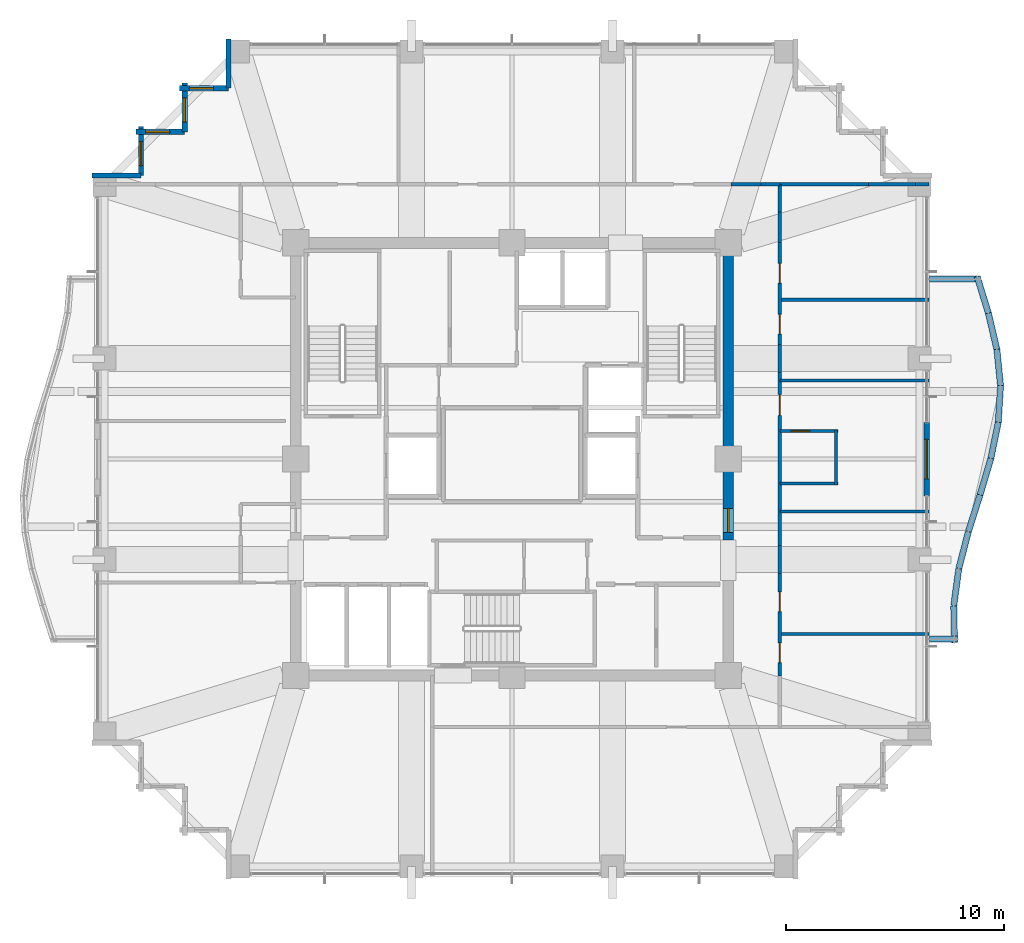
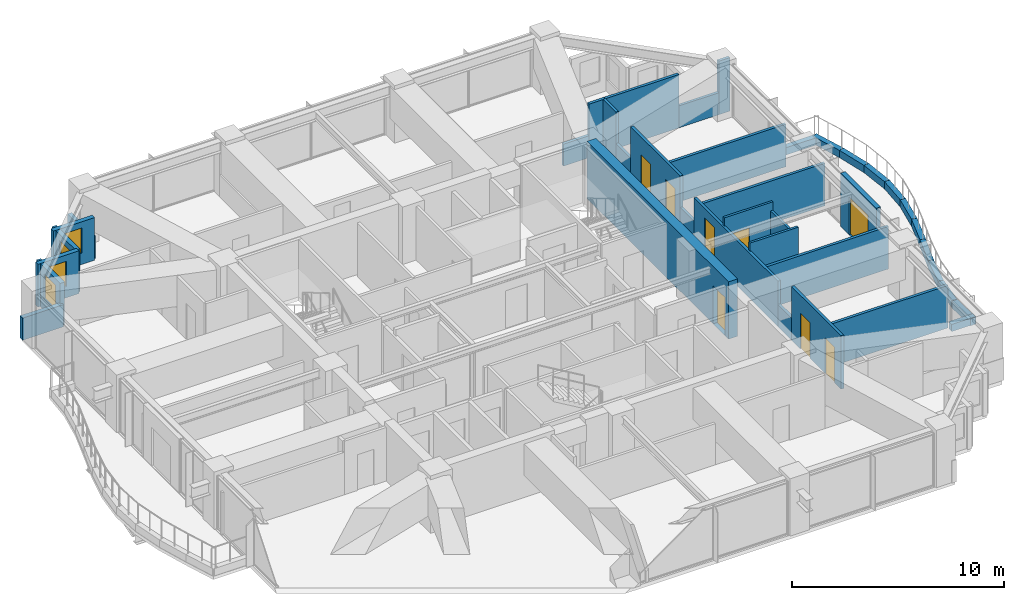
# One storey, part 33 of 36: 39 walls, 8 doors, 4 windows, 12 openings.
"""IFC4 building model written with IfcOpenShell, lengths in metres."""

from ifc_helpers import new_model, si_unit, direction, frame, frame_2d, origin, place, context, subcontext, project, spatial, rectangle, extrude, material, layer, layer_set, type_object, element, fill, save


model = new_model("IFC4")

# Units and contexts
model_context = context("Model", 3, precision=1e-05, world=origin(), true_north=direction((0.0, 1.0)))
body_context = subcontext(model_context, "Body", "Model", "MODEL_VIEW")
ifc_project = project(units=[si_unit("LENGTHUNIT", "METRE"), si_unit("AREAUNIT", "SQUARE_METRE"), si_unit("VOLUMEUNIT", "CUBIC_METRE"), si_unit("PLANEANGLEUNIT", "RADIAN"), si_unit("MASSUNIT", "GRAM", prefix="KILO")], contexts=[model_context])

# Site, building, storey
site_placement = place(None, origin())
site = spatial("IfcSite", under=ifc_project, at=site_placement, CompositionType="ELEMENT")
building_placement = place(site_placement, origin())
building = spatial("IfcBuilding", under=site, at=building_placement, Name="Kolvaren Belvedere", CompositionType="ELEMENT")
storey_placement = place(building_placement, frame((0.0, 0.0, 108.5)))
storey = spatial("IfcBuildingStorey", under=building, at=storey_placement, Name="L31", CompositionType="ELEMENT", Elevation=108.5)

# Wall, opening, door
ifc_material_1 = material(Name="Concrete C50/60", Category="concrete")
ifc_layer_1 = layer(ifc_material_1, 0.5)
ifc_layer_set_1 = layer_set([ifc_layer_1], Name="Concrete C50/60")
wall_type_1 = type_object("IfcWallType", Name="CW-CORE-500", PredefinedType="SHEAR", material=ifc_layer_set_1)
wall_1_placement = place(storey_placement, frame((9.89990234375, -3.699951171875, 0.0), z_axis=(0.0, 0.0, 1.0), x_axis=(0.0, 1.0, 0.0)))
wall_1 = element("IfcWall", 1, at=wall_1_placement, inside=storey, type_object=wall_type_1, Name="L31 East Core Shear Wall 2", PredefinedType="SHEAR", context=body_context, shape_type="SweptSolid", body=[
    extrude(rectangle(XDim=13.349853515625, YDim=0.5, at=frame_2d((6.6748046875, 0.0))), origin(), (0.0, 0.0, 1.0), 3.300048828125),
])
opening_1_placement = place(wall_1_placement, frame((0.35009765625, 0.0, 0.0)))
opening_1 = element("IfcOpeningElement", 2, at=opening_1_placement, cuts=wall_1, Name="Opening D-FD90", PredefinedType="OPENING", context=body_context, shape_type="SweptSolid", body=[
    extrude(rectangle(XDim=1.10009765625, YDim=2.199951171875, at=frame_2d((0.550048828125, 1.10009765625))), frame((0.0, 0.260009765625, 0.0), z_axis=(0.0, -1.0, 0.0), x_axis=(1.0, 0.0, 0.0)), (0.0, 0.0, 1.0), 0.52001953125),
])
ifc_material_2 = material(Name="Painted hollow stainless steel", Category="steel")
door_type_1 = type_object("IfcDoorType", Name="DR-FD90-1100", OperationType="NOTDEFINED", PredefinedType="DOOR", material=ifc_material_2)
door_1_placement = place(opening_1_placement, origin())
door_1 = element("IfcDoor", 3, at=door_1_placement, inside=storey, type_object=door_type_1, Name="L31 East Firefighting Lobby Fire Door", OperationType="SINGLE_SWING_RIGHT", OverallHeight=2.199951171875, OverallWidth=1.10009765625, PredefinedType="DOOR", context=body_context, shape_type="SweptSolid", body=[
    extrude(rectangle(XDim=1.10009765625, YDim=2.199951171875, at=frame_2d((0.550048828125, 1.10009765625))), frame((0.0, 0.02490234375, 0.0), z_axis=(0.0, -1.0, 0.0), x_axis=(1.0, 0.0, 0.0)), (0.0, 0.0, 1.0), 0.050048828125),
])
fill(opening_1, door_1)

# Walls
ifc_material_3 = material(Name="Gypsum fire-rated partition assembly", Category="gypsum")
ifc_layer_2 = layer(ifc_material_3, 0.14990234375)
ifc_layer_set_2 = layer_set([ifc_layer_2], Name="Gypsum fire-rated partition assembly")
wall_type_2 = type_object("IfcWallType", Name="WL-CORR-150", PredefinedType="PARTITIONING", material=ifc_layer_set_2)
wall_2_placement = place(storey_placement, frame((10.015869140625, 12.580078125, 0.0), z_axis=(0.0, 0.0, 1.0), x_axis=(1.0, 0.0, 0.0)))
element("IfcWall", 4, at=wall_2_placement, inside=storey, type_object=wall_type_2, Name="L31 North Corridor Wall", PredefinedType="PARTITIONING", context=body_context, shape_type="SweptSolid", body=[
    extrude(rectangle(XDim=1.3916015625, YDim=0.14990234375, at=frame_2d((0.69580078125, 0.0))), origin(), (0.0, 0.0, 1.0), 1.264892578125),
])
wall_3_placement = place(storey_placement, frame((11.407470703125, 12.580078125, 0.0), z_axis=(0.0, 0.0, 1.0), x_axis=(1.0, 0.0, 0.0)))
element("IfcWall", 5, at=wall_3_placement, inside=storey, type_object=wall_type_2, Name="L31 North Corridor Wall", PredefinedType="PARTITIONING", context=body_context, shape_type="SweptSolid", body=[
    extrude(rectangle(XDim=0.8525390625, YDim=0.14990234375, at=frame_2d((0.42626953125, 0.0))), origin(), (0.0, 0.0, 1.0), 3.080078125),
])

# Wall, openings, doors
wall_4_placement = place(storey_placement, frame((12.260009765625, -9.9189453125, 0.0), z_axis=(0.0, 0.0, 1.0), x_axis=(0.0, 1.0, 0.0)))
wall_4 = element("IfcWall", 6, at=wall_4_placement, inside=storey, type_object=wall_type_2, Name="L31 East Corridor Wall", PredefinedType="PARTITIONING", context=body_context, shape_type="SweptSolid", body=[
    extrude(rectangle(XDim=4.677001953125, YDim=0.14990234375, at=frame_2d((2.33837890625, 0.0))), origin(), (0.0, 0.0, 1.0), 3.080078125),
])
opening_2_placement = place(wall_4_placement, frame((0.603271484375, 0.0, 0.0)))
opening_2 = element("IfcOpeningElement", 7, at=opening_2_placement, cuts=wall_4, Name="Opening D-INT90", PredefinedType="OPENING", context=body_context, shape_type="SweptSolid", body=[
    extrude(rectangle(XDim=0.89990234375, YDim=2.06005859375, at=frame_2d((0.449951171875, 1.030029296875))), frame((0.0, 0.0849609375, 0.0), z_axis=(0.0, -1.0, 0.0), x_axis=(1.0, 0.0, 0.0)), (0.0, 0.0, 1.0), 0.169921875),
])
opening_3_placement = place(wall_4_placement, frame((2.938232421875, 0.0, 0.0)))
opening_3 = element("IfcOpeningElement", 8, at=opening_3_placement, cuts=wall_4, Name="Opening D-INT90", PredefinedType="OPENING", context=body_context, shape_type="SweptSolid", body=[
    extrude(rectangle(XDim=0.89990234375, YDim=2.06005859375, at=frame_2d((0.449951171875, 1.030029296875))), frame((0.0, 0.0849609375, 0.0), z_axis=(0.0, -1.0, 0.0), x_axis=(1.0, 0.0, 0.0)), (0.0, 0.0, 1.0), 0.169921875),
])
ifc_material_4 = material(Name="Stained Pacific white oak", Category="timber")
door_type_2 = type_object("IfcDoorType", Name="DR-INT-900", OperationType="NOTDEFINED", PredefinedType="DOOR", material=ifc_material_4)
door_2_placement = place(opening_2_placement, origin())
door_2 = element("IfcDoor", 9, at=door_2_placement, inside=storey, type_object=door_type_2, Name="L31 Lounge 3104 Door", OperationType="SINGLE_SWING_LEFT", OverallHeight=2.06005859375, OverallWidth=0.89990234375, PredefinedType="DOOR", context=body_context, shape_type="SweptSolid", body=[
    extrude(rectangle(XDim=0.89990234375, YDim=2.06005859375, at=frame_2d((0.449951171875, 1.030029296875))), frame((0.0, 0.02490234375, 0.0), z_axis=(0.0, -1.0, 0.0), x_axis=(1.0, 0.0, 0.0)), (0.0, 0.0, 1.0), 0.050048828125),
])
fill(opening_2, door_2)
door_3_placement = place(opening_3_placement, origin())
door_3 = element("IfcDoor", 10, at=door_3_placement, inside=storey, type_object=door_type_2, Name="L31 Lounge 3105 Door", OperationType="SINGLE_SWING_RIGHT", OverallHeight=2.06005859375, OverallWidth=0.89990234375, PredefinedType="DOOR", context=body_context, shape_type="SweptSolid", body=[
    extrude(rectangle(XDim=0.89990234375, YDim=2.06005859375, at=frame_2d((0.449951171875, 1.030029296875))), frame((0.0, 0.02490234375, 0.0), z_axis=(0.0, -1.0, 0.0), x_axis=(1.0, 0.0, 0.0)), (0.0, 0.0, 1.0), 0.050048828125),
])
fill(opening_3, door_3)

# Wall
wall_5_placement = place(storey_placement, frame((12.260009765625, -5.241943359375, 0.0), z_axis=(0.0, 0.0, 1.0), x_axis=(0.0, 1.0, 0.0)))
element("IfcWall", 11, at=wall_5_placement, inside=storey, type_object=wall_type_2, Name="L31 East Corridor Wall", PredefinedType="PARTITIONING", context=body_context, shape_type="SweptSolid", body=[
    extrude(rectangle(XDim=1.283935546875, YDim=0.14990234375, at=frame_2d((0.64208984375, 0.0))), origin(), (0.0, 0.0, 1.0), 1.264892578125),
])

# Wall, opening, door
wall_6_placement = place(storey_placement, frame((12.260009765625, -3.9580078125, 0.0), z_axis=(0.0, 0.0, 1.0), x_axis=(0.0, 1.0, 0.0)))
wall_6 = element("IfcWall", 12, at=wall_6_placement, inside=storey, type_object=wall_type_2, Name="L31 East Corridor Wall", PredefinedType="PARTITIONING", context=body_context, shape_type="SweptSolid", body=[
    extrude(rectangle(XDim=7.916015625, YDim=0.14990234375, at=frame_2d((3.9580078125, 0.0))), origin(), (0.0, 0.0, 1.0), 2.60498046875),
])
opening_4_placement = place(wall_6_placement, frame((5.96142578125, 0.0, 0.0)))
opening_4 = element("IfcOpeningElement", 13, at=opening_4_placement, cuts=wall_6, Name="Opening D-FD60", PredefinedType="OPENING", context=body_context, shape_type="SweptSolid", body=[
    extrude(rectangle(XDim=0.949951171875, YDim=2.06005859375, at=frame_2d((0.47509765625, 1.030029296875))), frame((0.0, 0.0849609375, 0.0), z_axis=(0.0, -1.0, 0.0), x_axis=(1.0, 0.0, 0.0)), (0.0, 0.0, 1.0), 0.169921875),
])
ifc_material_5 = material(Name="Acoustic white-oak fire door leaf", Category="timber")
door_type_3 = type_object("IfcDoorType", Name="DR-FD60-950", OperationType="NOTDEFINED", PredefinedType="DOOR", material=ifc_material_5)
door_4_placement = place(opening_4_placement, origin())
door_4 = element("IfcDoor", 14, at=door_4_placement, inside=storey, type_object=door_type_3, Name="L31 King Guest Room 3106 Entry Door", OperationType="SINGLE_SWING_RIGHT", OverallHeight=2.06005859375, OverallWidth=0.949951171875, PredefinedType="DOOR", context=body_context, shape_type="SweptSolid", body=[
    extrude(rectangle(XDim=0.949951171875, YDim=2.06005859375, at=frame_2d((0.47509765625, 1.030029296875))), frame((0.0, 0.02490234375, 0.0), z_axis=(0.0, -1.0, 0.0), x_axis=(1.0, 0.0, 0.0)), (0.0, 0.0, 1.0), 0.050048828125),
])
fill(opening_4, door_4)

# Wall
wall_7_placement = place(storey_placement, frame((12.260009765625, 3.9580078125, 0.0), z_axis=(0.0, 0.0, 1.0), x_axis=(0.0, 1.0, 0.0)))
element("IfcWall", 15, at=wall_7_placement, inside=storey, type_object=wall_type_2, Name="L31 East Corridor Wall", PredefinedType="PARTITIONING", context=body_context, shape_type="SweptSolid", body=[
    extrude(rectangle(XDim=1.283935546875, YDim=0.14990234375, at=frame_2d((0.64208984375, 0.0))), origin(), (0.0, 0.0, 1.0), 1.264892578125),
])

# Wall, openings, doors
wall_8_placement = place(storey_placement, frame((12.260009765625, 5.241943359375, 0.0), z_axis=(0.0, 0.0, 1.0), x_axis=(0.0, 1.0, 0.0)))
wall_8 = element("IfcWall", 16, at=wall_8_placement, inside=storey, type_object=wall_type_2, Name="L31 East Corridor Wall", PredefinedType="PARTITIONING", context=body_context, shape_type="SweptSolid", body=[
    extrude(rectangle(XDim=4.677001953125, YDim=0.14990234375, at=frame_2d((2.33837890625, 0.0))), origin(), (0.0, 0.0, 1.0), 3.080078125),
])
opening_5_placement = place(wall_8_placement, frame((0.481201171875, 0.0, 0.0)))
opening_5 = element("IfcOpeningElement", 17, at=opening_5_placement, cuts=wall_8, Name="Opening D-INT90", PredefinedType="OPENING", context=body_context, shape_type="SweptSolid", body=[
    extrude(rectangle(XDim=0.89990234375, YDim=2.06005859375, at=frame_2d((0.449951171875, 1.030029296875))), frame((0.0, 0.0849609375, 0.0), z_axis=(0.0, -1.0, 0.0), x_axis=(1.0, 0.0, 0.0)), (0.0, 0.0, 1.0), 0.169921875),
])
opening_6_placement = place(wall_8_placement, frame((2.816162109375, 0.0, 0.0)))
opening_6 = element("IfcOpeningElement", 18, at=opening_6_placement, cuts=wall_8, Name="Opening D-INT90", PredefinedType="OPENING", context=body_context, shape_type="SweptSolid", body=[
    extrude(rectangle(XDim=0.89990234375, YDim=2.06005859375, at=frame_2d((0.449951171875, 1.030029296875))), frame((0.0, 0.0849609375, 0.0), z_axis=(0.0, -1.0, 0.0), x_axis=(1.0, 0.0, 0.0)), (0.0, 0.0, 1.0), 0.169921875),
])
door_5_placement = place(opening_5_placement, origin())
door_5 = element("IfcDoor", 19, at=door_5_placement, inside=storey, type_object=door_type_2, Name="L31 Lounge 3107 Door", OperationType="SINGLE_SWING_LEFT", OverallHeight=2.06005859375, OverallWidth=0.89990234375, PredefinedType="DOOR", context=body_context, shape_type="SweptSolid", body=[
    extrude(rectangle(XDim=0.89990234375, YDim=2.06005859375, at=frame_2d((0.449951171875, 1.030029296875))), frame((0.0, 0.02490234375, 0.0), z_axis=(0.0, -1.0, 0.0), x_axis=(1.0, 0.0, 0.0)), (0.0, 0.0, 1.0), 0.050048828125),
])
fill(opening_5, door_5)
door_6_placement = place(opening_6_placement, origin())
door_6 = element("IfcDoor", 20, at=door_6_placement, inside=storey, type_object=door_type_2, Name="L31 Lounge 3108 Door", OperationType="SINGLE_SWING_RIGHT", OverallHeight=2.06005859375, OverallWidth=0.89990234375, PredefinedType="DOOR", context=body_context, shape_type="SweptSolid", body=[
    extrude(rectangle(XDim=0.89990234375, YDim=2.06005859375, at=frame_2d((0.449951171875, 1.030029296875))), frame((0.0, 0.02490234375, 0.0), z_axis=(0.0, -1.0, 0.0), x_axis=(1.0, 0.0, 0.0)), (0.0, 0.0, 1.0), 0.050048828125),
])
fill(opening_6, door_6)

# Walls
wall_9_placement = place(storey_placement, frame((12.260009765625, 9.9189453125, 0.0), z_axis=(0.0, 0.0, 1.0), x_axis=(0.0, 1.0, 0.0)))
element("IfcWall", 21, at=wall_9_placement, inside=storey, type_object=wall_type_2, Name="L31 East Corridor Wall", PredefinedType="PARTITIONING", context=body_context, shape_type="SweptSolid", body=[
    extrude(rectangle(XDim=1.3916015625, YDim=0.14990234375, at=frame_2d((0.69580078125, 0.0))), origin(), (0.0, 0.0, 1.0), 1.264892578125),
])
wall_10_placement = place(storey_placement, frame((12.260009765625, 11.310546875, 0.0), z_axis=(0.0, 0.0, 1.0), x_axis=(0.0, 1.0, 0.0)))
element("IfcWall", 22, at=wall_10_placement, inside=storey, type_object=wall_type_2, Name="L31 East Corridor Wall", PredefinedType="PARTITIONING", context=body_context, shape_type="SweptSolid", body=[
    extrude(rectangle(XDim=1.26953125, YDim=0.14990234375, at=frame_2d((0.634765625, 0.0))), origin(), (0.0, 0.0, 1.0), 3.080078125),
])

# Wall, opening, door
ifc_material_6 = material(Name="Insulated pale-metal facade wall assembly", Category="aluminium")
ifc_layer_3 = layer(ifc_material_6, 0.239990234375)
ifc_layer_set_3 = layer_set([ifc_layer_3], Name="Insulated pale-metal facade wall assembly")
wall_type_3 = type_object("IfcWallType", Name="WL-EXT-240", PredefinedType="STANDARD", material=ifc_layer_set_3)
wall_11_placement = place(storey_placement, frame((18.97998046875, 1.679931640625, 0.0), z_axis=(0.0, 0.0, 1.0), x_axis=(0.0, -1.0, 0.0)))
wall_11 = element("IfcWall", 23, at=wall_11_placement, inside=storey, type_object=wall_type_3, Name="L31 East Terrace Portal Wall", PredefinedType="STANDARD", context=body_context, shape_type="SweptSolid", body=[
    extrude(rectangle(XDim=3.35986328125, YDim=0.239990234375, at=frame_2d((1.679931640625, 0.0))), origin(), (0.0, 0.0, 1.0), 3.080078125),
])
opening_7_placement = place(wall_11_placement, frame((0.780029296875, 0.0, 0.0)))
opening_7 = element("IfcOpeningElement", 24, at=opening_7_placement, cuts=wall_11, Name="Opening DB-1800", PredefinedType="OPENING", context=body_context, shape_type="SweptSolid", body=[
    extrude(rectangle(XDim=1.800048828125, YDim=2.199951171875, at=frame_2d((0.89990234375, 1.10009765625))), frame((0.0, 0.1298828125, 0.0), z_axis=(0.0, -1.0, 0.0), x_axis=(1.0, 0.0, 0.0)), (0.0, 0.0, 1.0), 0.260009765625),
])
ifc_material_7 = material(Name="Thermally broken pale-metal aluminium & low-iron glass", Category="aluminium")
door_type_4 = type_object("IfcDoorType", Name="DR-BAL-1800", OperationType="DOUBLE_DOOR_SLIDING", PredefinedType="DOOR", material=ifc_material_7)
door_7_placement = place(opening_7_placement, origin())
door_7 = element("IfcDoor", 25, at=door_7_placement, inside=storey, type_object=door_type_4, Name="L31 East Planted Terrace Sliding Door", OperationType="DOUBLE_DOOR_SLIDING", OverallHeight=2.199951171875, OverallWidth=1.800048828125, PredefinedType="DOOR", context=body_context, shape_type="SweptSolid", body=[
    extrude(rectangle(XDim=1.800048828125, YDim=2.199951171875, at=frame_2d((0.89990234375, 1.10009765625))), frame((0.0, 0.02490234375, 0.0), z_axis=(0.0, -1.0, 0.0), x_axis=(1.0, 0.0, 0.0)), (0.0, 0.0, 1.0), 0.050048828125),
])
fill(opening_7, door_7)

# Wall
wall_12_placement = place(storey_placement, frame((-12.97998046875, 16.97998046875, 0.0), z_axis=(0.0, 0.0, 1.0), x_axis=(0.0, 1.0, 0.0)))
element("IfcWall", 26, at=wall_12_placement, inside=storey, type_object=wall_type_3, Name="L31 Serrated Corner Facade Wall 16", PredefinedType="STANDARD", context=body_context, shape_type="SweptSolid", body=[
    extrude(rectangle(XDim=2.239990234375, YDim=0.239990234375, at=frame_2d((1.1201171875, 0.0))), origin(), (0.0, 0.0, 1.0), 1.27490234375),
])

# Wall, opening, window
wall_13_placement = place(storey_placement, frame((-15.219970703125, 16.97998046875, 0.0), z_axis=(0.0, 0.0, 1.0), x_axis=(1.0, 0.0, 0.0)))
wall_13 = element("IfcWall", 27, at=wall_13_placement, inside=storey, type_object=wall_type_3, Name="L31 Serrated Corner Facade Wall 17", PredefinedType="STANDARD", context=body_context, shape_type="SweptSolid", body=[
    extrude(rectangle(XDim=2.239990234375, YDim=0.239990234375, at=frame_2d((1.1201171875, 0.0))), origin(), (0.0, 0.0, 1.0), 2.458984375),
])
opening_8_placement = place(wall_13_placement, frame((0.449951171875, 0.0, 0.64990234375)))
opening_8 = element("IfcOpeningElement", 28, at=opening_8_placement, cuts=wall_13, Name="Opening W-1100", PredefinedType="OPENING", context=body_context, shape_type="SweptSolid", body=[
    extrude(rectangle(XDim=1.10009765625, YDim=1.449951171875, at=frame_2d((0.550048828125, 0.72509765625))), frame((0.0, 0.1298828125, 0.0), z_axis=(0.0, -1.0, 0.0), x_axis=(1.0, 0.0, 0.0)), (0.0, 0.0, 1.0), 0.260009765625),
])
ifc_material_8 = material(Name="Low-iron triple insulated glass", Category="glass")
window_type = type_object("IfcWindowType", Name="WN-CORN-1100", PartitioningType="SINGLE_PANEL", PredefinedType="WINDOW", material=ifc_material_8)
window_1_placement = place(opening_8_placement, origin())
window_1 = element("IfcWindow", 29, at=window_1_placement, inside=storey, type_object=window_type, Name="L31 Serrated Corner Vision Window 17", OverallHeight=1.449951171875, OverallWidth=1.10009765625, PartitioningType="SINGLE_PANEL", PredefinedType="WINDOW", context=body_context, shape_type="SweptSolid", body=[
    extrude(rectangle(XDim=1.10009765625, YDim=1.449951171875, at=frame_2d((0.550048828125, 0.72509765625))), frame((0.0, 0.030029296875, 0.0), z_axis=(0.0, -1.0, 0.0), x_axis=(1.0, 0.0, 0.0)), (0.0, 0.0, 1.0), 0.06005859375),
])
fill(opening_8, window_1)

wall_14_placement = place(storey_placement, frame((-14.97998046875, 14.97998046875, 0.0), z_axis=(0.0, 0.0, 1.0), x_axis=(0.0, 1.0, 0.0)))
wall_14 = element("IfcWall", 30, at=wall_14_placement, inside=storey, type_object=wall_type_3, Name="L31 Serrated Corner Facade Wall 18", PredefinedType="STANDARD", context=body_context, shape_type="SweptSolid", body=[
    extrude(rectangle(XDim=2.239990234375, YDim=0.239990234375, at=frame_2d((1.1201171875, 0.0))), origin(), (0.0, 0.0, 1.0), 2.458984375),
])
opening_9_placement = place(wall_14_placement, frame((0.449951171875, 0.0, 0.64990234375)))
opening_9 = element("IfcOpeningElement", 31, at=opening_9_placement, cuts=wall_14, Name="Opening W-1100", PredefinedType="OPENING", context=body_context, shape_type="SweptSolid", body=[
    extrude(rectangle(XDim=1.10009765625, YDim=1.449951171875, at=frame_2d((0.550048828125, 0.72509765625))), frame((0.0, 0.1298828125, 0.0), z_axis=(0.0, -1.0, 0.0), x_axis=(1.0, 0.0, 0.0)), (0.0, 0.0, 1.0), 0.260009765625),
])
window_2_placement = place(opening_9_placement, origin())
window_2 = element("IfcWindow", 32, at=window_2_placement, inside=storey, type_object=window_type, Name="L31 Serrated Corner Vision Window 18", OverallHeight=1.449951171875, OverallWidth=1.10009765625, PartitioningType="SINGLE_PANEL", PredefinedType="WINDOW", context=body_context, shape_type="SweptSolid", body=[
    extrude(rectangle(XDim=1.10009765625, YDim=1.449951171875, at=frame_2d((0.550048828125, 0.72509765625))), frame((0.0, 0.030029296875, 0.0), z_axis=(0.0, -1.0, 0.0), x_axis=(1.0, 0.0, 0.0)), (0.0, 0.0, 1.0), 0.06005859375),
])
fill(opening_9, window_2)

wall_15_placement = place(storey_placement, frame((-17.219970703125, 14.97998046875, 0.0), z_axis=(0.0, 0.0, 1.0), x_axis=(1.0, 0.0, 0.0)))
wall_15 = element("IfcWall", 33, at=wall_15_placement, inside=storey, type_object=wall_type_3, Name="L31 Serrated Corner Facade Wall 19", PredefinedType="STANDARD", context=body_context, shape_type="SweptSolid", body=[
    extrude(rectangle(XDim=2.239990234375, YDim=0.239990234375, at=frame_2d((1.1201171875, 0.0))), origin(), (0.0, 0.0, 1.0), 2.458984375),
])
opening_10_placement = place(wall_15_placement, frame((0.449951171875, 0.0, 0.64990234375)))
opening_10 = element("IfcOpeningElement", 34, at=opening_10_placement, cuts=wall_15, Name="Opening W-1100", PredefinedType="OPENING", context=body_context, shape_type="SweptSolid", body=[
    extrude(rectangle(XDim=1.10009765625, YDim=1.449951171875, at=frame_2d((0.550048828125, 0.72509765625))), frame((0.0, 0.1298828125, 0.0), z_axis=(0.0, -1.0, 0.0), x_axis=(1.0, 0.0, 0.0)), (0.0, 0.0, 1.0), 0.260009765625),
])
window_3_placement = place(opening_10_placement, origin())
window_3 = element("IfcWindow", 35, at=window_3_placement, inside=storey, type_object=window_type, Name="L31 Serrated Corner Vision Window 19", OverallHeight=1.449951171875, OverallWidth=1.10009765625, PartitioningType="SINGLE_PANEL", PredefinedType="WINDOW", context=body_context, shape_type="SweptSolid", body=[
    extrude(rectangle(XDim=1.10009765625, YDim=1.449951171875, at=frame_2d((0.550048828125, 0.72509765625))), frame((0.0, 0.030029296875, 0.0), z_axis=(0.0, -1.0, 0.0), x_axis=(1.0, 0.0, 0.0)), (0.0, 0.0, 1.0), 0.06005859375),
])
fill(opening_10, window_3)

wall_16_placement = place(storey_placement, frame((-16.97998046875, 12.97998046875, 0.0), z_axis=(0.0, 0.0, 1.0), x_axis=(0.0, 1.0, 0.0)))
wall_16 = element("IfcWall", 36, at=wall_16_placement, inside=storey, type_object=wall_type_3, Name="L31 Serrated Corner Facade Wall 20", PredefinedType="STANDARD", context=body_context, shape_type="SweptSolid", body=[
    extrude(rectangle(XDim=2.239990234375, YDim=0.239990234375, at=frame_2d((1.1201171875, 0.0))), origin(), (0.0, 0.0, 1.0), 2.458984375),
])
opening_11_placement = place(wall_16_placement, frame((0.449951171875, 0.0, 0.64990234375)))
opening_11 = element("IfcOpeningElement", 37, at=opening_11_placement, cuts=wall_16, Name="Opening W-1100", PredefinedType="OPENING", context=body_context, shape_type="SweptSolid", body=[
    extrude(rectangle(XDim=1.10009765625, YDim=1.449951171875, at=frame_2d((0.550048828125, 0.72509765625))), frame((0.0, 0.1298828125, 0.0), z_axis=(0.0, -1.0, 0.0), x_axis=(1.0, 0.0, 0.0)), (0.0, 0.0, 1.0), 0.260009765625),
])
window_4_placement = place(opening_11_placement, origin())
window_4 = element("IfcWindow", 38, at=window_4_placement, inside=storey, type_object=window_type, Name="L31 Serrated Corner Vision Window 20", OverallHeight=1.449951171875, OverallWidth=1.10009765625, PartitioningType="SINGLE_PANEL", PredefinedType="WINDOW", context=body_context, shape_type="SweptSolid", body=[
    extrude(rectangle(XDim=1.10009765625, YDim=1.449951171875, at=frame_2d((0.550048828125, 0.72509765625))), frame((0.0, 0.030029296875, 0.0), z_axis=(0.0, -1.0, 0.0), x_axis=(1.0, 0.0, 0.0)), (0.0, 0.0, 1.0), 0.06005859375),
])
fill(opening_11, window_4)

# Walls
wall_17_placement = place(storey_placement, frame((-19.219970703125, 12.97998046875, 0.0), z_axis=(0.0, 0.0, 1.0), x_axis=(1.0, 0.0, 0.0)))
element("IfcWall", 39, at=wall_17_placement, inside=storey, type_object=wall_type_3, Name="L31 Serrated Corner Facade Wall 21", PredefinedType="STANDARD", context=body_context, shape_type="SweptSolid", body=[
    extrude(rectangle(XDim=2.239990234375, YDim=0.239990234375, at=frame_2d((1.1201171875, 0.0))), origin(), (0.0, 0.0, 1.0), 1.27490234375),
])
ifc_material_9 = material(Name="Gypsum acoustic partition assembly", Category="gypsum")
ifc_layer_4 = layer(ifc_material_9, 0.14990234375)
ifc_layer_set_4 = layer_set([ifc_layer_4], Name="Gypsum acoustic partition assembly")
wall_type_4 = type_object("IfcWallType", Name="WL-PART-150", PredefinedType="PARTITIONING", material=ifc_layer_set_4)
wall_18_placement = place(storey_placement, frame((12.260009765625, 12.580078125, 0.0), z_axis=(0.0, 0.0, 1.0), x_axis=(1.0, 0.0, 0.0)))
element("IfcWall", 40, at=wall_18_placement, inside=storey, type_object=wall_type_4, Name="L31 Wing Divider PW-L31-QNE", PredefinedType="PARTITIONING", context=body_context, shape_type="SweptSolid", body=[
    extrude(rectangle(XDim=4.060546875, YDim=0.14990234375, at=frame_2d((2.0302734375, 0.0))), origin(), (0.0, 0.0, 1.0), 3.080078125),
])
wall_19_placement = place(storey_placement, frame((16.320556640625, 12.580078125, 0.0), z_axis=(0.0, 0.0, 1.0), x_axis=(1.0, 0.0, 0.0)))
element("IfcWall", 41, at=wall_19_placement, inside=storey, type_object=wall_type_4, Name="L31 Wing Divider PW-L31-QNE", PredefinedType="PARTITIONING", context=body_context, shape_type="SweptSolid", body=[
    extrude(rectangle(XDim=2.1572265625, YDim=0.14990234375, at=frame_2d((1.07861328125, 0.0))), origin(), (0.0, 0.0, 1.0), 1.264892578125),
])
wall_20_placement = place(storey_placement, frame((18.477783203125, 12.580078125, 0.0), z_axis=(0.0, 0.0, 1.0), x_axis=(1.0, 0.0, 0.0)))
element("IfcWall", 42, at=wall_20_placement, inside=storey, type_object=wall_type_4, Name="L31 Wing Divider PW-L31-QNE", PredefinedType="PARTITIONING", context=body_context, shape_type="SweptSolid", body=[
    extrude(rectangle(XDim=0.602294921875, YDim=0.14990234375, at=frame_2d((0.30126953125, 0.0))), origin(), (0.0, 0.0, 1.0), 3.080078125),
])
for number, where, z_axis, x_axis, name in (
    (43, (12.260009765625, -8.0, 0.0), (0.0, 0.0, 1.0), (1.0, 0.0, 0.0), "L31 East Suite Demising Wall 1"),
    (44, (12.260009765625, -2.39990234375, 0.0), (0.0, 0.0, 1.0), (1.0, 0.0, 0.0), "L31 East Suite Demising Wall 2"),
    (45, (12.260009765625, 3.60009765625, 0.0), (0.0, 0.0, 1.0), (1.0, 0.0, 0.0), "L31 East Suite Demising Wall 3"),
    (46, (12.260009765625, 7.300048828125, 0.0), (0.0, 0.0, 1.0), (1.0, 0.0, 0.0), "L31 East Suite Demising Wall 4"),
):
    element("IfcWall", number, at=place(storey_placement, frame(where, z_axis=z_axis, x_axis=x_axis)), inside=storey, type_object=wall_type_4, Name=name, PredefinedType="PARTITIONING", context=body_context, shape_type="SweptSolid", body=[
        extrude(rectangle(XDim=6.820068359375, YDim=0.14990234375, at=frame_2d((3.41015625, 0.0))), origin(), (0.0, 0.0, 1.0), 2.448974609375),
    ])
ifc_material_10 = material(Name="Precast concrete C40/50", Category="concrete")
ifc_layer_5 = layer(ifc_material_10, 0.300048828125)
ifc_layer_set_5 = layer_set([ifc_layer_5], Name="Precast concrete C40/50")
wall_type_5 = type_object("IfcWallType", Name="WL-PLANTER-300", PredefinedType="PARAPET", material=ifc_layer_set_5)
wall_21_placement = place(storey_placement, frame((20.2529296875, -8.4033203125, -0.0400390625), z_axis=(0.0, 0.0, 1.0), x_axis=(-0.020193498486, 0.99979609052, 0.0)))
element("IfcWall", 47, at=wall_21_placement, inside=storey, type_object=wall_type_5, Name="L31 Precast Structural Planter Wall BAL-E-1", PredefinedType="PARAPET", context=body_context, shape_type="SweptSolid", body=[
    extrude(rectangle(XDim=1.680419921875, YDim=0.280029296875, at=frame_2d((0.84033203125, 0.0))), origin(), (0.0, 0.0, 1.0), 0.419921875),
])
wall_22_placement = place(storey_placement, frame((20.220703125, -6.698486328125, -0.0400390625), z_axis=(0.0, 0.0, 1.0), x_axis=(0.134766240144, 0.990877419521, 0.0)))
element("IfcWall", 48, at=wall_22_placement, inside=storey, type_object=wall_type_5, Name="L31 Precast Structural Planter Wall BAL-E-2", PredefinedType="PARAPET", context=body_context, shape_type="SweptSolid", body=[
    extrude(rectangle(XDim=1.695556640625, YDim=0.280029296875, at=frame_2d((0.84765625, 0.0))), origin(), (0.0, 0.0, 1.0), 0.419921875),
])
wall_23_placement = place(storey_placement, frame((20.452880859375, -5.0, -0.0400390625), z_axis=(0.0, 0.0, 1.0), x_axis=(0.250405556038, 0.968141031826, 0.0)))
element("IfcWall", 49, at=wall_23_placement, inside=storey, type_object=wall_type_5, Name="L31 Precast Structural Planter Wall BAL-E-3", PredefinedType="PARAPET", context=body_context, shape_type="SweptSolid", body=[
    extrude(rectangle(XDim=1.7353515625, YDim=0.280029296875, at=frame_2d((0.86767578125, 0.0))), origin(), (0.0, 0.0, 1.0), 0.419921875),
])
wall_24_placement = place(storey_placement, frame((20.889892578125, -3.3115234375, -0.0400390625), z_axis=(0.0, 0.0, 1.0), x_axis=(0.302397356111, 0.953181954832, 0.0)))
element("IfcWall", 50, at=wall_24_placement, inside=storey, type_object=wall_type_5, Name="L31 Precast Structural Planter Wall BAL-E-4", PredefinedType="PARAPET", context=body_context, shape_type="SweptSolid", body=[
    extrude(rectangle(XDim=1.762451171875, YDim=0.280029296875, at=frame_2d((0.88134765625, 0.0))), origin(), (0.0, 0.0, 1.0), 0.419921875),
])
wall_25_placement = place(storey_placement, frame((21.422119140625, -1.634521484375, -0.0400390625), z_axis=(0.0, 0.0, 1.0), x_axis=(0.284842289601, 0.958574394638, 0.0)))
element("IfcWall", 51, at=wall_25_placement, inside=storey, type_object=wall_type_5, Name="L31 Precast Structural Planter Wall BAL-E-5", PredefinedType="PARAPET", context=body_context, shape_type="SweptSolid", body=[
    extrude(rectangle(XDim=1.752685546875, YDim=0.280029296875, at=frame_2d((0.87646484375, 0.0))), origin(), (0.0, 0.0, 1.0), 0.419921875),
])
wall_26_placement = place(storey_placement, frame((21.91796875, 0.031982421875, -0.0400390625), z_axis=(0.0, 0.0, 1.0), x_axis=(0.199784246163, 0.979839912937, 0.0)))
element("IfcWall", 52, at=wall_26_placement, inside=storey, type_object=wall_type_5, Name="L31 Precast Structural Planter Wall BAL-E-6", PredefinedType="PARAPET", context=body_context, shape_type="SweptSolid", body=[
    extrude(rectangle(XDim=1.714599609375, YDim=0.280029296875, at=frame_2d((0.857421875, 0.0))), origin(), (0.0, 0.0, 1.0), 0.419921875),
])
wall_27_placement = place(storey_placement, frame((22.257568359375, 1.689697265625, -0.0400390625), z_axis=(0.0, 0.0, 1.0), x_axis=(0.061059932685, 0.998134101522, 0.0)))
element("IfcWall", 53, at=wall_27_placement, inside=storey, type_object=wall_type_5, Name="L31 Precast Structural Planter Wall BAL-E-7", PredefinedType="PARAPET", context=body_context, shape_type="SweptSolid", body=[
    extrude(rectangle(XDim=1.683349609375, YDim=0.280029296875, at=frame_2d((0.841796875, 0.0))), origin(), (0.0, 0.0, 1.0), 0.419921875),
])
wall_28_placement = place(storey_placement, frame((22.36083984375, 3.343994140625, -0.0400390625), z_axis=(0.0, 0.0, 1.0), x_axis=(-0.099618240186, 0.995025731437, 0.0)))
element("IfcWall", 54, at=wall_28_placement, inside=storey, type_object=wall_type_5, Name="L31 Precast Structural Planter Wall BAL-E-8", PredefinedType="PARAPET", context=body_context, shape_type="SweptSolid", body=[
    extrude(rectangle(XDim=1.6884765625, YDim=0.280029296875, at=frame_2d((0.84423828125, 0.0))), origin(), (0.0, 0.0, 1.0), 0.419921875),
])
wall_29_placement = place(storey_placement, frame((22.196044921875, 5.003662109375, -0.0400390625), z_axis=(0.0, 0.0, 1.0), x_axis=(-0.227019323824, 0.973890253884, 0.0)))
element("IfcWall", 55, at=wall_29_placement, inside=storey, type_object=wall_type_5, Name="L31 Precast Structural Planter Wall BAL-E-9", PredefinedType="PARAPET", context=body_context, shape_type="SweptSolid", body=[
    extrude(rectangle(XDim=1.724853515625, YDim=0.280029296875, at=frame_2d((0.8623046875, 0.0))), origin(), (0.0, 0.0, 1.0), 0.419921875),
])
wall_30_placement = place(storey_placement, frame((21.8076171875, 6.672607421875, -0.0400390625), z_axis=(0.0, 0.0, 1.0), x_axis=(-0.295918951766, 0.95521305162, 0.0)))
element("IfcWall", 56, at=wall_30_placement, inside=storey, type_object=wall_type_5, Name="L31 Precast Structural Planter Wall BAL-E-10", PredefinedType="PARAPET", context=body_context, shape_type="SweptSolid", body=[
    extrude(rectangle(XDim=1.759033203125, YDim=0.280029296875, at=frame_2d((0.87939453125, 0.0))), origin(), (0.0, 0.0, 1.0), 0.419921875),
])
wall_31_placement = place(storey_placement, frame((21.43994140625, 8.239990234375, -0.0400390625), z_axis=(0.0, 0.0, 1.0), x_axis=(-1.0, 0.0, 0.0)))
element("IfcWall", 57, at=wall_31_placement, inside=storey, type_object=wall_type_5, Name="L31 Precast Structural Planter Wall BAL-E-11", PredefinedType="PARAPET", context=body_context, shape_type="SweptSolid", body=[
    extrude(rectangle(XDim=2.33984375, YDim=0.280029296875, at=frame_2d((1.169921875, 0.0))), origin(), (0.0, 0.0, 1.0), 0.419921875),
])
wall_32_placement = place(storey_placement, frame((19.10009765625, -8.239990234375, -0.0400390625), z_axis=(0.0, 0.0, 1.0), x_axis=(1.0, 0.0, 0.0)))
element("IfcWall", 58, at=wall_32_placement, inside=storey, type_object=wall_type_5, Name="L31 Precast Structural Planter Wall BAL-E-22", PredefinedType="PARAPET", context=body_context, shape_type="SweptSolid", body=[
    extrude(rectangle(XDim=1.312744140625, YDim=0.280029296875, at=frame_2d((0.65625, 0.0))), origin(), (0.0, 0.0, 1.0), 0.419921875),
])

# Wall, opening, door
ifc_material_11 = material(Name="Moisture-resistant gypsum partition", Category="gypsum")
ifc_layer_6 = layer(ifc_material_11, 0.125)
ifc_layer_set_6 = layer_set([ifc_layer_6], Name="Moisture-resistant gypsum partition")
wall_type_6 = type_object("IfcWallType", Name="WL-WET-125", PredefinedType="PARTITIONING", material=ifc_layer_set_6)
wall_33_placement = place(storey_placement, frame((12.27490234375, 1.282958984375, 0.0), z_axis=(0.0, 0.0, 1.0), x_axis=(1.0, 0.0, 0.0)))
wall_33 = element("IfcWall", 59, at=wall_33_placement, inside=storey, type_object=wall_type_6, Name="L31 Bathroom Partition PW-L31-BTH-6-N", PredefinedType="PARTITIONING", context=body_context, shape_type="SweptSolid", body=[
    extrude(rectangle(XDim=2.64013671875, YDim=0.125, at=frame_2d((1.320068359375, 0.0))), origin(), (0.0, 0.0, 1.0), 3.080078125),
])
opening_12_placement = place(wall_33_placement, frame((0.5, 0.0, 0.0)))
opening_12 = element("IfcOpeningElement", 60, at=opening_12_placement, cuts=wall_33, Name="Opening D-BTH85", PredefinedType="OPENING", context=body_context, shape_type="SweptSolid", body=[
    extrude(rectangle(XDim=0.85009765625, YDim=2.030029296875, at=frame_2d((0.425048828125, 1.01513671875))), frame((0.0, 0.072509765625, 0.0), z_axis=(0.0, -1.0, 0.0), x_axis=(1.0, 0.0, 0.0)), (0.0, 0.0, 1.0), 0.14501953125),
])
ifc_material_12 = material(Name="Moisture-sealed Pacific white oak", Category="timber")
door_type_5 = type_object("IfcDoorType", Name="DR-BATH-850", OperationType="NOTDEFINED", PredefinedType="DOOR", material=ifc_material_12)
door_8_placement = place(opening_12_placement, origin())
door_8 = element("IfcDoor", 61, at=door_8_placement, inside=storey, type_object=door_type_5, Name="L31 En-Suite Bathroom 3106 Door", OperationType="SINGLE_SWING_LEFT", OverallHeight=2.030029296875, OverallWidth=0.85009765625, PredefinedType="DOOR", context=body_context, shape_type="SweptSolid", body=[
    extrude(rectangle(XDim=0.85009765625, YDim=2.030029296875, at=frame_2d((0.425048828125, 1.01513671875))), frame((0.0, 0.02490234375, 0.0), z_axis=(0.0, -1.0, 0.0), x_axis=(1.0, 0.0, 0.0)), (0.0, 0.0, 1.0), 0.050048828125),
])
fill(opening_12, door_8)

# Walls
wall_34_placement = place(storey_placement, frame((14.8349609375, -1.177001953125, 0.0), z_axis=(0.0, 0.0, 1.0), x_axis=(0.0, 1.0, 0.0)))
element("IfcWall", 62, at=wall_34_placement, inside=storey, type_object=wall_type_6, Name="L31 Bathroom Partition PW-L31-BTH-6-V", PredefinedType="PARTITIONING", context=body_context, shape_type="SweptSolid", body=[
    extrude(rectangle(XDim=2.52001953125, YDim=0.125, at=frame_2d((1.260009765625, 0.0))), origin(), (0.0, 0.0, 1.0), 2.60498046875),
])
wall_35_placement = place(storey_placement, frame((12.27490234375, -1.116943359375, 0.0), z_axis=(0.0, 0.0, 1.0), x_axis=(1.0, 0.0, 0.0)))
element("IfcWall", 63, at=wall_35_placement, inside=storey, type_object=wall_type_6, Name="L31 Bathroom Partition PW-L31-BTH-6-S", PredefinedType="PARTITIONING", context=body_context, shape_type="SweptSolid", body=[
    extrude(rectangle(XDim=2.64013671875, YDim=0.125, at=frame_2d((1.320068359375, 0.0))), origin(), (0.0, 0.0, 1.0), 3.080078125),
])

save(model, "model.ifc")
